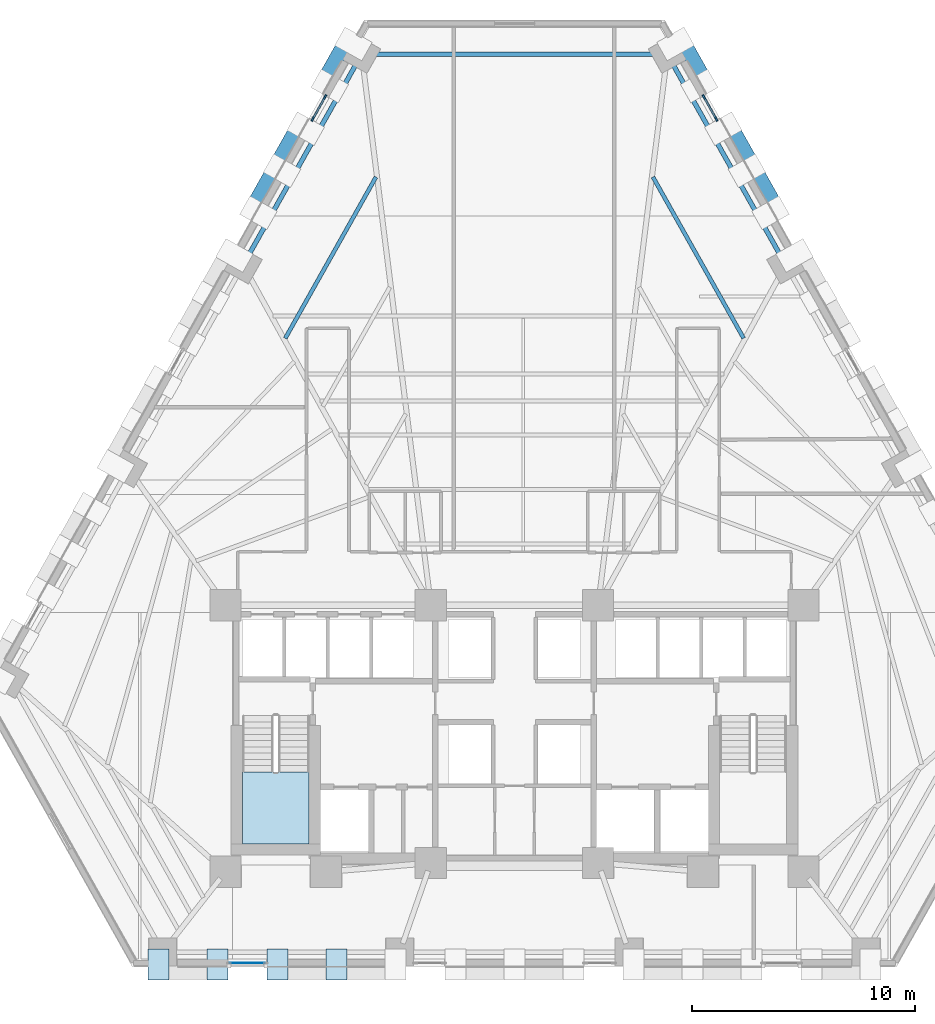
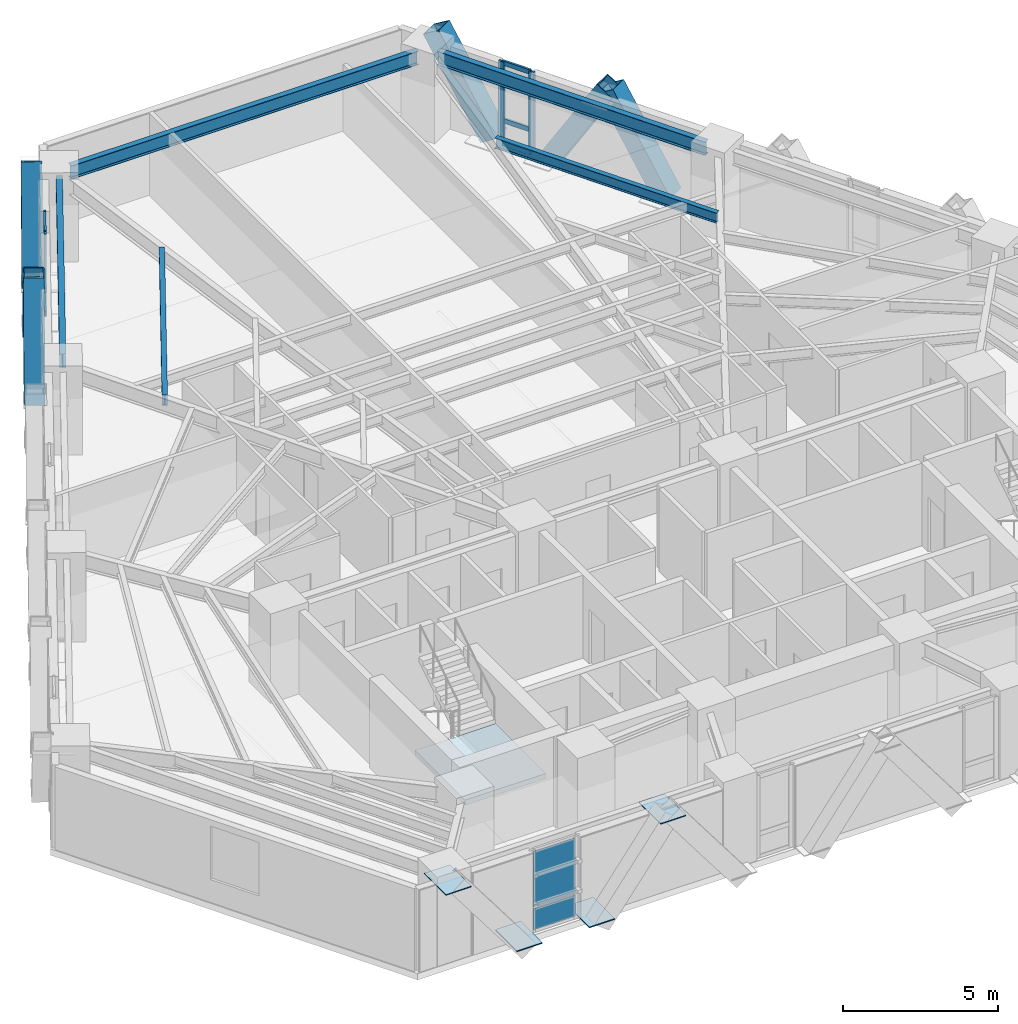
# One storey, part 5 of 13: 16 members, 6 plates, 5 beams, 1 slab, 4 elements without a shape of their own.
"""IFC4 building model written with IfcOpenShell, lengths in metres."""

from ifc_helpers import new_model, si_unit, direction, frame, origin, origin_2d, place, context, subcontext, project, spatial, polyline, rectangle, hollow_rectangle, i_section, outline, extrude, material, layer, layer_set, material_profile, profile_set, type_object, element, aggregate, save


model = new_model("IFC4")

# Units and contexts
model_context = context("Model", 3, precision=1e-05, world=origin(), true_north=direction((0.0, 1.0)))
body_context = subcontext(model_context, "Body", "Model", "MODEL_VIEW")
ifc_project = project(units=[si_unit("LENGTHUNIT", "METRE"), si_unit("AREAUNIT", "SQUARE_METRE"), si_unit("VOLUMEUNIT", "CUBIC_METRE"), si_unit("PLANEANGLEUNIT", "RADIAN"), si_unit("MASSUNIT", "GRAM", prefix="KILO")], contexts=[model_context])

# Site, building, storey
site_placement = place(None, origin())
site = spatial("IfcSite", under=ifc_project, at=site_placement, CompositionType="ELEMENT")
building_placement = place(site_placement, origin())
building = spatial("IfcBuilding", under=site, at=building_placement, Name="Quenlor Broadcast Tower", CompositionType="ELEMENT")
storey_placement = place(building_placement, frame((0.0, 0.0, 66.10009765625)))
storey = spatial("IfcBuildingStorey", under=building, at=storey_placement, Name="L17", CompositionType="ELEMENT", Elevation=66.10009765625)

# Curtain wall, members
ifc_material_1 = material(Name="Architectural Terracotta and Low-E Glazing", Category="masonry")
curtain_wall_type = type_object("IfcCurtainWallType", Name="Unitised Terracotta Curtain Wall System Z1", PredefinedType="NOTDEFINED", material=ifc_material_1)
curtain_wall_1_placement = place(storey_placement, origin())
curtain_wall_1 = element("IfcCurtainWall", 1, at=curtain_wall_1_placement, inside=storey, type_object=curtain_wall_type, Name="L17 Curtain Wall CW1 (L17-NEA-G1)", PredefinedType="NOTDEFINED")
ifc_material_2 = material(Name="Aluminium 6063-T6", Category="aluminium")
ifc_material_profile_1 = material_profile(ifc_material_2, rectangle(XDim=0.080078125, YDim=0.219970703125, at=origin_2d()))
ifc_profile_set_1 = profile_set([ifc_material_profile_1], Name="Aluminium 6063-T6 MULL80x220")
member_type_1 = type_object("IfcMemberType", Name="CW1 Aluminium Mullion MULL_CW1", PredefinedType="MULLION", material=ifc_profile_set_1)
member_1_placement = place(storey_placement, frame((8.49072265625, 17.979248046875, 0.0), z_axis=(0.0, 0.0, 1.0), x_axis=(0.871602077703, 0.490214053392, 0.0)))
member_1 = element("IfcMember", 2, at=member_1_placement, type_object=member_type_1, Name="CW1 mullion 1", PredefinedType="MULLION", context=body_context, shape_type="SweptSolid", body=[
    extrude(rectangle(XDim=0.080078125, YDim=0.219970703125, at=origin_2d()), origin(), (0.0, 0.0, 1.0), 3.25),
])
member_2_placement = place(storey_placement, frame((9.043212890625, 16.99658203125, 0.0), z_axis=(0.0, 0.0, 1.0), x_axis=(0.871602077703, 0.490214053392, 0.0)))
member_2 = element("IfcMember", 3, at=member_2_placement, type_object=member_type_1, Name="CW1 mullion 2", PredefinedType="MULLION", context=body_context, shape_type="SweptSolid", body=[
    extrude(rectangle(XDim=0.080078125, YDim=0.219970703125, at=origin_2d()), origin(), (0.0, 0.0, 1.0), 3.25),
])

curtain_wall_2_placement = place(storey_placement, origin())
curtain_wall_2 = element("IfcCurtainWall", 4, at=curtain_wall_2_placement, inside=storey, type_object=curtain_wall_type, Name="L17 Curtain Wall CW1 (L17-NWC-G1)", PredefinedType="NOTDEFINED")
member_3_placement = place(storey_placement, frame((-9.043212890625, 16.99658203125, 0.0), z_axis=(0.0, 0.0, 1.0), x_axis=(-0.871602077703, 0.490214053392, 0.0)))
member_3 = element("IfcMember", 5, at=member_3_placement, type_object=member_type_1, Name="CW1 mullion 1", PredefinedType="MULLION", context=body_context, shape_type="SweptSolid", body=[
    extrude(rectangle(XDim=0.080078125, YDim=0.219970703125, at=origin_2d()), origin(), (0.0, 0.0, 1.0), 3.25),
])
member_4_placement = place(storey_placement, frame((-8.49072265625, 17.979248046875, 0.0), z_axis=(0.0, 0.0, 1.0), x_axis=(-0.871602077703, 0.490214053392, 0.0)))
member_4 = element("IfcMember", 6, at=member_4_placement, type_object=member_type_1, Name="CW1 mullion 2", PredefinedType="MULLION", context=body_context, shape_type="SweptSolid", body=[
    extrude(rectangle(XDim=0.080078125, YDim=0.219970703125, at=origin_2d()), origin(), (0.0, 0.0, 1.0), 3.25),
])

# Member
ifc_material_3 = material(Name="Aluminium 6063-T6", Category="aluminium")
ifc_material_profile_2 = material_profile(ifc_material_3, rectangle(XDim=0.080078125, YDim=0.179931640625, at=origin_2d()))
ifc_profile_set_2 = profile_set([ifc_material_profile_2], Name="Aluminium 6063-T6 TRAN80x180")
member_type_2 = type_object("IfcMemberType", Name="CW1 Aluminium Transom TRAN_CW1", PredefinedType="USERDEFINED", material=ifc_profile_set_2)
member_5_placement = place(storey_placement, frame((8.51025390625, 17.9443359375, 0.039794921875), z_axis=(0.490228036821, -0.871594212874, 0.0), x_axis=(0.871594212874, 0.490228036821, 0.0)))
member_5 = element("IfcMember", 7, at=member_5_placement, type_object=member_type_2, Name="CW1 transom 1.1", ObjectType="TRANSOM", PredefinedType="USERDEFINED", context=body_context, shape_type="SweptSolid", body=[
    extrude(rectangle(XDim=0.080078125, YDim=0.179931640625, at=origin_2d()), origin(), (0.0, 0.0, 1.0), 1.04736328125),
])

member_6_placement = place(storey_placement, frame((8.51025390625, 17.9443359375, 0.949951171875), z_axis=(0.490228036821, -0.871594212874, 0.0), x_axis=(0.871594212874, 0.490228036821, 0.0)))
member_6 = element("IfcMember", 8, at=member_6_placement, type_object=member_type_2, Name="CW1 transom 1.2", ObjectType="TRANSOM", PredefinedType="USERDEFINED", context=body_context, shape_type="SweptSolid", body=[
    extrude(rectangle(XDim=0.080078125, YDim=0.179931640625, at=origin_2d()), origin(), (0.0, 0.0, 1.0), 1.04736328125),
])

member_7_placement = place(storey_placement, frame((8.51025390625, 17.9443359375, 3.2099609375), z_axis=(0.490228036821, -0.871594212874, 0.0), x_axis=(0.871594212874, 0.490228036821, 0.0)))
member_7 = element("IfcMember", 9, at=member_7_placement, type_object=member_type_2, Name="CW1 transom 1.3", ObjectType="TRANSOM", PredefinedType="USERDEFINED", context=body_context, shape_type="SweptSolid", body=[
    extrude(rectangle(XDim=0.080078125, YDim=0.179931640625, at=origin_2d()), origin(), (0.0, 0.0, 1.0), 1.04736328125),
])

aggregate(curtain_wall_1, [member_1, member_2, member_5, member_6, member_7])

member_8_placement = place(storey_placement, frame((-9.023681640625, 17.031494140625, 0.039794921875), z_axis=(0.490228036821, 0.871594212874, 0.0), x_axis=(-0.871594212874, 0.490228036821, 0.0)))
member_8 = element("IfcMember", 10, at=member_8_placement, type_object=member_type_2, Name="CW1 transom 1.1", ObjectType="TRANSOM", PredefinedType="USERDEFINED", context=body_context, shape_type="SweptSolid", body=[
    extrude(rectangle(XDim=0.080078125, YDim=0.179931640625, at=origin_2d()), origin(), (0.0, 0.0, 1.0), 1.04736328125),
])

member_9_placement = place(storey_placement, frame((-9.023681640625, 17.031494140625, 0.949951171875), z_axis=(0.490228036821, 0.871594212874, 0.0), x_axis=(-0.871594212874, 0.490228036821, 0.0)))
member_9 = element("IfcMember", 11, at=member_9_placement, type_object=member_type_2, Name="CW1 transom 1.2", ObjectType="TRANSOM", PredefinedType="USERDEFINED", context=body_context, shape_type="SweptSolid", body=[
    extrude(rectangle(XDim=0.080078125, YDim=0.179931640625, at=origin_2d()), origin(), (0.0, 0.0, 1.0), 1.04736328125),
])

member_10_placement = place(storey_placement, frame((-9.023681640625, 17.031494140625, 3.2099609375), z_axis=(0.490228036821, 0.871594212874, 0.0), x_axis=(-0.871594212874, 0.490228036821, 0.0)))
member_10 = element("IfcMember", 12, at=member_10_placement, type_object=member_type_2, Name="CW1 transom 1.3", ObjectType="TRANSOM", PredefinedType="USERDEFINED", context=body_context, shape_type="SweptSolid", body=[
    extrude(rectangle(XDim=0.080078125, YDim=0.179931640625, at=origin_2d()), origin(), (0.0, 0.0, 1.0), 1.04736328125),
])

aggregate(curtain_wall_2, [member_3, member_4, member_8, member_9, member_10])

# Members
ifc_material_4 = material(Name="Steel S355", Category="steel")
ifc_material_profile_3 = material_profile(ifc_material_4, hollow_rectangle(XDim=0.679931640625, YDim=0.679931640625, WallThickness=0.034912109375, at=origin_2d()))
ifc_profile_set_3 = profile_set([ifc_material_profile_3], Name="Steel S355 RHS680x680x35")
member_type_3 = type_object("IfcMemberType", Name="Perimeter Diagonal Lattice Brace Z1 Steel S355 RHS680x35", PredefinedType="BRACE", material=ifc_profile_set_3)
for number, where, z_axis, x_axis, name in (
    (13, (9.650390625, 16.722900390625, -0.1201171875), (0.256375341489, -0.45579159737, 0.852364771705), (0.871581609758, 0.490250443683, 0.0), "L17 Perimeter Diamond Lattice NE-C1S"),
    (14, (8.572021484375, 18.64013671875, -0.1201171875), (-0.256375341489, 0.45579159737, 0.852364771705), (-0.871581609758, -0.490250443683, 0.0), "L17 Perimeter Diamond Lattice NE-C1B"),
    (15, (11.768798828125, 12.95703125, -0.1201171875), (-0.256375341489, 0.45579159737, 0.852364771705), (-0.871581609758, -0.490250443683, 0.0), "L17 Perimeter Diamond Lattice NE-C2B"),
    (16, (-11.768798828125, 12.95703125, -0.1201171875), (0.256375341489, 0.45579159737, 0.852364771705), (-0.871581609758, 0.490250443683, 0.0), "L17 Perimeter Diamond Lattice NW-C4S"),
    (17, (-8.572021484375, 18.64013671875, -0.1201171875), (0.256375341489, 0.45579159737, 0.852364771705), (-0.871581609758, 0.490250443683, 0.0), "L17 Perimeter Diamond Lattice NW-C5S"),
    (18, (-9.650390625, 16.722900390625, -0.1201171875), (-0.256375341489, -0.45579159737, 0.852364771705), (0.871581609758, -0.490250443683, 0.0), "L17 Perimeter Diamond Lattice NW-C5B"),
):
    element("IfcMember", number, at=place(storey_placement, frame(where, z_axis=z_axis, x_axis=x_axis)), inside=storey, type_object=member_type_3, Name=name, PredefinedType="BRACE", context=body_context, shape_type="SweptSolid", body=[
        extrude(hollow_rectangle(XDim=0.679931640625, YDim=0.679931640625, WallThickness=0.034912109375, at=origin_2d()), origin(), (0.0, 0.0, 1.0), 4.106201171875),
    ])

# Beams
ifc_material_5 = material(Name="Steel S355", Category="steel")
ifc_material_profile_4 = material_profile(ifc_material_5, i_section(OverallWidth=0.208984375, OverallDepth=0.532958984375, WebThickness=0.01025390625, FlangeThickness=0.015625, FilletRadius=0.013916015625, at=origin_2d()))
ifc_profile_set_4 = profile_set([ifc_material_profile_4], Name="Steel S355 530UB92.4")
beam_type_1 = type_object("IfcBeamType", Name="Perimeter Spandrel Beam Z1 Steel S355 530UB92.4", PredefinedType="SPANDREL", material=ifc_profile_set_4)
beam_1_placement = place(storey_placement, frame((11.962158203125, 10.80810546875, 2.9833984375), z_axis=(-0.490257767622, 0.871577490121, 0.0), x_axis=(-0.871577490121, -0.490257767622, 0.0)))
element("IfcBeam", 19, at=beam_1_placement, inside=storey, type_object=beam_type_1, Name="L17 Spandrel Beam NE3-NE4", PredefinedType="SPANDREL", context=body_context, shape_type="SweptSolid", body=[
    extrude(i_section(OverallWidth=0.208984375, OverallDepth=0.532958984375, WebThickness=0.01025390625, FlangeThickness=0.015625, FilletRadius=0.013916015625, at=origin_2d()), origin(), (0.0, 0.0, 1.0), 10.015380859375),
])
beam_2_placement = place(storey_placement, frame((6.44091796875, 19.894775390625, 2.9833984375), z_axis=(-1.0, 0.0, 0.0), x_axis=(0.0, -1.0, 0.0)))
element("IfcBeam", 20, at=beam_2_placement, inside=storey, type_object=beam_type_1, Name="L17 Spandrel Beam NE4-NW1", PredefinedType="SPANDREL", context=body_context, shape_type="SweptSolid", body=[
    extrude(i_section(OverallWidth=0.208984375, OverallDepth=0.532958984375, WebThickness=0.01025390625, FlangeThickness=0.015625, FilletRadius=0.013916015625, at=origin_2d()), origin(), (0.0, 0.0, 1.0), 12.8818359375),
])
beam_3_placement = place(storey_placement, frame((-7.052001953125, 19.537353515625, 2.9833984375), z_axis=(-0.490257767622, -0.871577490121, 0.0), x_axis=(0.871577490121, -0.490257767622, 0.0)))
element("IfcBeam", 21, at=beam_3_placement, inside=storey, type_object=beam_type_1, Name="L17 Spandrel Beam NW1-NW2", PredefinedType="SPANDREL", context=body_context, shape_type="SweptSolid", body=[
    extrude(i_section(OverallWidth=0.208984375, OverallDepth=0.532958984375, WebThickness=0.01025390625, FlangeThickness=0.015625, FilletRadius=0.013916015625, at=origin_2d()), origin(), (0.0, 0.0, 1.0), 10.015380859375),
])
ifc_material_6 = material(Name="Steel S355", Category="steel")
ifc_material_profile_5 = material_profile(ifc_material_6, i_section(OverallWidth=0.177978515625, OverallDepth=0.406494140625, WebThickness=0.0078125, FlangeThickness=0.0126953125, FilletRadius=0.011474609375, at=origin_2d()))
ifc_profile_set_5 = profile_set([ifc_material_profile_5], Name="Steel S355 410UB59.7")
beam_type_2 = type_object("IfcBeamType", Name="Tower Composite Joist Z1 Steel S355 410UB59.7", PredefinedType="JOIST", material=ifc_profile_set_5)
for number, where, z_axis, x_axis, name in (
    (22, (-6.2080078125, 14.39208984375, 3.046630859375), (-0.490248658014, -0.871582614166, 0.0), (0.871582614166, -0.490248658014, 0.0), "L17 Secondary Composite Joist 27"),
    (23, (6.2080078125, 14.39208984375, 3.046630859375), (0.490248658014, -0.871582614166, 0.0), (0.871582614166, 0.490248658014, 0.0), "L17 Secondary Composite Joist 30"),
):
    element("IfcBeam", number, at=place(storey_placement, frame(where, z_axis=z_axis, x_axis=x_axis)), inside=storey, type_object=beam_type_2, Name=name, PredefinedType="JOIST", context=body_context, shape_type="SweptSolid", body=[
        extrude(i_section(OverallWidth=0.177978515625, OverallDepth=0.406494140625, WebThickness=0.0078125, FlangeThickness=0.0126953125, FilletRadius=0.011474609375, at=origin_2d()), origin(), (0.0, 0.0, 1.0), 8.29150390625),
    ])

# Curtain wall, plates
curtain_wall_3_placement = place(storey_placement, origin())
curtain_wall_3 = element("IfcCurtainWall", 24, at=curtain_wall_3_placement, inside=storey, type_object=curtain_wall_type, Name="L17 Curtain Wall CW1 (L17-SC-G1)", PredefinedType="NOTDEFINED")
ifc_material_7 = material(Name="Double Glazed Low-E Solar Glass", Category="glass")
ifc_layer_1 = layer(ifc_material_7, 0.031982421875)
ifc_layer_set_1 = layer_set([ifc_layer_1], Name="CW1 Double Glazed Vision Panel 32")
plate_type_1 = type_object("IfcPlateType", Name="CW1 Double Glazed Vision Panel 32", PredefinedType="CURTAIN_PANEL", material=ifc_layer_set_1)
plate_1_placement = place(storey_placement, frame((-11.970703125, -20.840087890625, 0.079833984375), z_axis=(0.0, 0.0, 1.0), x_axis=(-1.0, 0.0, 0.0)))
plate_1 = element("IfcPlate", 25, at=plate_1_placement, type_object=plate_type_1, Name="CW1 panel 1.1", PredefinedType="CURTAIN_PANEL", context=body_context, shape_type="SweptSolid", body=[
    extrude(rectangle(XDim=1.568359375, YDim=0.031982421875, at=origin_2d()), origin(), (0.0, 0.0, 1.0), 0.830078125),
])
plate_2_placement = place(storey_placement, frame((-11.970703125, -20.840087890625, 0.98974609375), z_axis=(0.0, 0.0, 1.0), x_axis=(-1.0, 0.0, 0.0)))
plate_2 = element("IfcPlate", 26, at=plate_2_placement, type_object=plate_type_1, Name="CW1 panel 1.2", PredefinedType="CURTAIN_PANEL", context=body_context, shape_type="SweptSolid", body=[
    extrude(rectangle(XDim=1.568359375, YDim=0.031982421875, at=origin_2d()), origin(), (0.0, 0.0, 1.0), 2.179931640625),
])
aggregate(curtain_wall_3, [plate_1, plate_2])

# Stair, slab
ifc_material_8 = material(Name="Precast concrete C40/50", Category="concrete")
stair_type = type_object("IfcStairType", Name="Precast Concrete C40/50 Dogleg Stair H350", PredefinedType="HALF_TURN_STAIR", material=ifc_material_8)
stair_placement = place(storey_placement, origin())
stair = element("IfcStair", 27, at=stair_placement, inside=storey, type_object=stair_type, Name="L17 West Core Fire-Isolated Exit Stair ST-1", PredefinedType="HALF_TURN_STAIR")
ifc_material_9 = material(Name="Precast concrete C40/50", Category="concrete")
ifc_layer_2 = layer(ifc_material_9, 0.199951171875)
ifc_layer_set_2 = layer_set([ifc_layer_2], Name="Precast Concrete C40/50 Stair Landing Slab 200")
slab_type = type_object("IfcSlabType", Name="Precast Concrete C40/50 Stair Landing Slab 200", PredefinedType="LANDING", material=ifc_layer_set_2)
slab_placement = place(storey_placement, frame((0.0, 0.0, 1.5498046875)))
slab = element("IfcSlab", 28, at=slab_placement, type_object=slab_type, Name="ST-1 landing 1", PredefinedType="LANDING", context=body_context, shape_type="SweptSolid", body=[
    extrude(outline(polyline([(-12.199951171875, -12.27001953125), (-12.199951171875, -15.5), (-9.199951171875, -15.5), (-9.199951171875, -12.27001953125), (-12.199951171875, -12.27001953125)])), origin(), (0.0, 0.0, 1.0), 0.2001953125),
])
aggregate(stair, [slab])

# Plates
ifc_material_10 = material(Name="Steel S355", Category="steel")
ifc_layer_3 = layer(ifc_material_10, 0.035888671875)
ifc_layer_set_3 = layer_set([ifc_layer_3], Name="Transfer Truss Steel S355 Gusset Node Plate 1400x950x36")
plate_type_2 = type_object("IfcPlateType", Name="Transfer Truss Steel S355 Gusset Node Plate 1400x950x36", PredefinedType="SHEET", material=ifc_layer_set_3)
for number, where, z_axis, x_axis, name in (
    (29, (-7.98046875, -20.89990234375, 3.18212890625), (0.0, 0.0, 1.0), (0.0, -1.0, 0.0), "L17 Lattice Tie Gusset Node S-T9"),
    (30, (-13.31689453125, -20.89990234375, 0.0419921875), (0.0, 0.0, 1.0), (0.0, -1.0, 0.0), "L17 Lattice Tie Gusset Node S-B11"),
    (31, (-15.9609375, -20.89990234375, 3.18212890625), (0.0, 0.0, 1.0), (0.0, -1.0, 0.0), "L17 Lattice Tie Gusset Node S-T12"),
    (32, (-10.624755859375, -20.89990234375, 0.0419921875), (0.0, 0.0, 1.0), (0.0, -1.0, 0.0), "L17 Lattice Tie Gusset Node S-B10"),
):
    element("IfcPlate", number, at=place(storey_placement, frame(where, z_axis=z_axis, x_axis=x_axis)), inside=storey, type_object=plate_type_2, Name=name, PredefinedType="SHEET", context=body_context, shape_type="SweptSolid", body=[
        extrude(rectangle(XDim=1.39990234375, YDim=0.949951171875, at=origin_2d()), origin(), (0.0, 0.0, 1.0), 0.035888671875),
    ])

save(model, "model.ifc")
